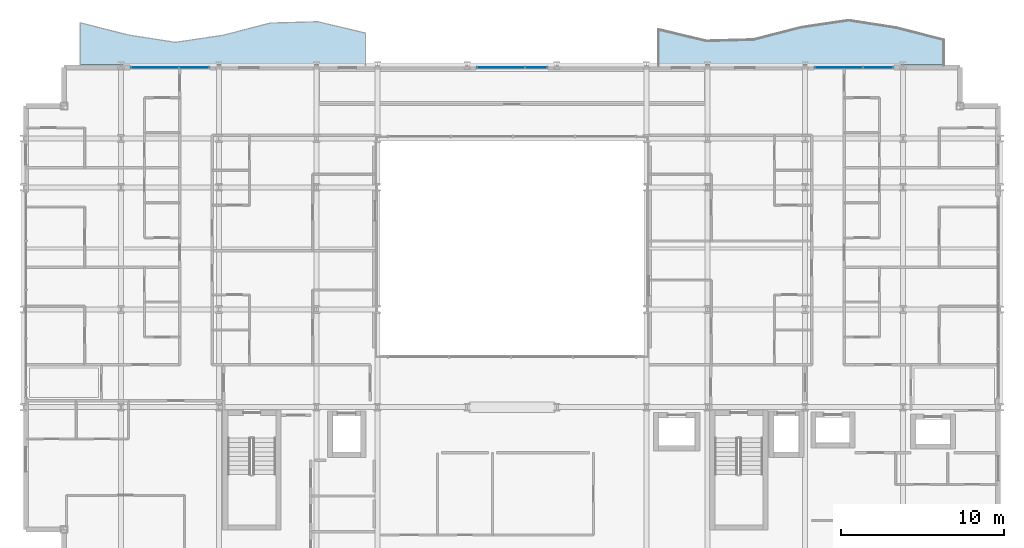
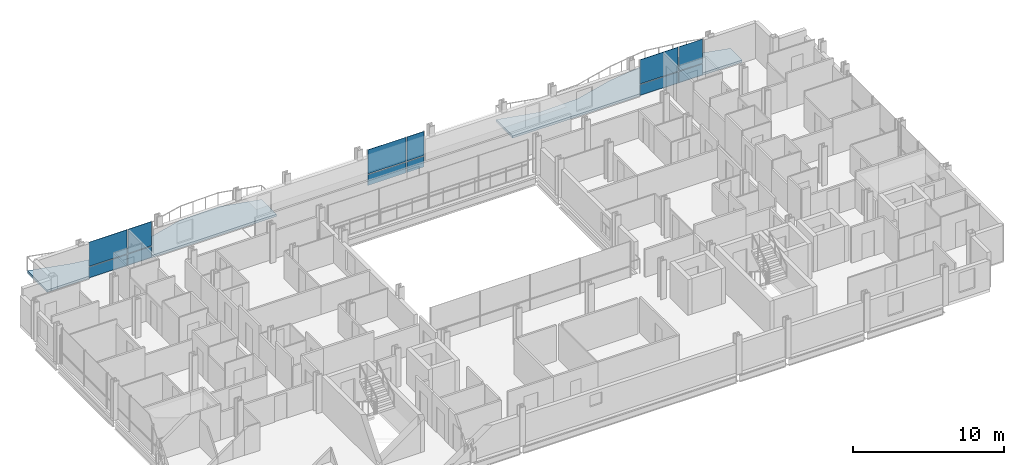
# One storey, part 29 of 40: 12 plates, 2 slabs, 3 elements without a shape of their own.
"""IFC4 building model written with IfcOpenShell, lengths in metres."""

from ifc_helpers import new_model, si_unit, direction, frame, origin, origin_2d, place, context, subcontext, project, spatial, polyline, rectangle, outline, extrude, material, layer, layer_set, type_object, element, aggregate, save


model = new_model("IFC4")

# Units and contexts
model_context = context("Model", 3, precision=1e-05, world=origin(), true_north=direction((0.0, 1.0)))
body_context = subcontext(model_context, "Body", "Model", "MODEL_VIEW")
ifc_project = project(units=[si_unit("LENGTHUNIT", "METRE"), si_unit("AREAUNIT", "SQUARE_METRE"), si_unit("VOLUMEUNIT", "CUBIC_METRE"), si_unit("PLANEANGLEUNIT", "RADIAN"), si_unit("MASSUNIT", "GRAM", prefix="KILO")], contexts=[model_context])

# Site, building, storey
site_placement = place(None, origin())
site = spatial("IfcSite", under=ifc_project, at=site_placement, CompositionType="ELEMENT")
building_placement = place(site_placement, origin())
building = spatial("IfcBuilding", under=site, at=building_placement, Name="Brevholm Reach", CompositionType="ELEMENT")
storey_placement = place(building_placement, frame((0.0, 0.0, 31.10009765625)))
storey = spatial("IfcBuildingStorey", under=building, at=storey_placement, Name="L07", CompositionType="ELEMENT", Elevation=31.10009765625)

# Curtain wall, plates
ifc_material_1 = material(Name="Dark Anodised Aluminium 6063-T6 and Solar-Control Glass", Category="aluminium")
ifc_layer_1 = layer(ifc_material_1, 0.14990234375)
ifc_layer_set_1 = layer_set([ifc_layer_1], Name="Dark Anodised Aluminium 6063-T6 and Solar-Control Glass")
curtain_wall_type = type_object("IfcCurtainWallType", Name="CW-01", PredefinedType="NOTDEFINED", material=ifc_layer_set_1)
curtain_wall_1_placement = place(storey_placement, origin())
curtain_wall_1 = element("IfcCurtainWall", 1, at=curtain_wall_1_placement, inside=storey, type_object=curtain_wall_type, Name="L07 Curtain Wall CW-01", PredefinedType="NOTDEFINED")
ifc_material_2 = material(Name="Dark Solar-Control Double-Glazed IGU Glass", Category="glass")
ifc_layer_2 = layer(ifc_material_2, 0.028076171875)
ifc_layer_set_2 = layer_set([ifc_layer_2], Name="Dark Solar-Control Double-Glazed IGU Glass")
plate_type = type_object("IfcPlateType", Name="CWP-GLZ-28", PredefinedType="CURTAIN_PANEL", material=ifc_layer_set_2)
plate_1_placement = place(storey_placement, frame((8.066162109375, 30.85009765625, 0.0), z_axis=(0.0, 0.0, 1.0), x_axis=(1.0, 0.0, 0.0)))
plate_1 = element("IfcPlate", 2, at=plate_1_placement, type_object=plate_type, Name="CP-01 Glazing Panel 1.1", PredefinedType="CURTAIN_PANEL", context=body_context, shape_type="SweptSolid", body=[
    extrude(rectangle(XDim=2.902587890625, YDim=0.028076171875, at=origin_2d()), origin(), (0.0, 0.0, 1.0), 0.867431640625),
])
plate_2_placement = place(storey_placement, frame((8.066162109375, 30.85009765625, 0.932373046875), z_axis=(0.0, 0.0, 1.0), x_axis=(1.0, 0.0, 0.0)))
plate_2 = element("IfcPlate", 3, at=plate_2_placement, type_object=plate_type, Name="CP-01 Glazing Panel 1.2", PredefinedType="CURTAIN_PANEL", context=body_context, shape_type="SweptSolid", body=[
    extrude(rectangle(XDim=2.902587890625, YDim=0.028076171875, at=origin_2d()), origin(), (0.0, 0.0, 1.0), 1.9375),
])
plate_3_placement = place(storey_placement, frame((10.483642578125, 30.85009765625, 0.0), z_axis=(0.0, 0.0, 1.0), x_axis=(1.0, 0.0, 0.0)))
plate_3 = element("IfcPlate", 4, at=plate_3_placement, type_object=plate_type, Name="CP-01 Glazing Panel 2.1", PredefinedType="CURTAIN_PANEL", context=body_context, shape_type="SweptSolid", body=[
    extrude(rectangle(XDim=1.802490234375, YDim=0.028076171875, at=origin_2d()), origin(), (0.0, 0.0, 1.0), 0.867431640625),
])
plate_4_placement = place(storey_placement, frame((10.483642578125, 30.85009765625, 0.932373046875), z_axis=(0.0, 0.0, 1.0), x_axis=(1.0, 0.0, 0.0)))
plate_4 = element("IfcPlate", 5, at=plate_4_placement, type_object=plate_type, Name="CP-01 Glazing Panel 2.2", PredefinedType="CURTAIN_PANEL", context=body_context, shape_type="SweptSolid", body=[
    extrude(rectangle(XDim=1.802490234375, YDim=0.028076171875, at=origin_2d()), origin(), (0.0, 0.0, 1.0), 1.9375),
])
aggregate(curtain_wall_1, [plate_1, plate_2, plate_3, plate_4])

curtain_wall_2_placement = place(storey_placement, origin())
curtain_wall_2 = element("IfcCurtainWall", 6, at=curtain_wall_2_placement, inside=storey, type_object=curtain_wall_type, Name="L07 Curtain Wall CW-01", PredefinedType="NOTDEFINED")
plate_5_placement = place(storey_placement, frame((29.316162109375, 30.85009765625, 0.0), z_axis=(0.0, 0.0, 1.0), x_axis=(1.0, 0.0, 0.0)))
plate_5 = element("IfcPlate", 7, at=plate_5_placement, type_object=plate_type, Name="CP-01 Glazing Panel 1.1", PredefinedType="CURTAIN_PANEL", context=body_context, shape_type="SweptSolid", body=[
    extrude(rectangle(XDim=2.902587890625, YDim=0.028076171875, at=origin_2d()), origin(), (0.0, 0.0, 1.0), 0.867431640625),
])
plate_6_placement = place(storey_placement, frame((29.316162109375, 30.85009765625, 0.932373046875), z_axis=(0.0, 0.0, 1.0), x_axis=(1.0, 0.0, 0.0)))
plate_6 = element("IfcPlate", 8, at=plate_6_placement, type_object=plate_type, Name="CP-01 Glazing Panel 1.2", PredefinedType="CURTAIN_PANEL", context=body_context, shape_type="SweptSolid", body=[
    extrude(rectangle(XDim=2.902587890625, YDim=0.028076171875, at=origin_2d()), origin(), (0.0, 0.0, 1.0), 1.9375),
])
plate_7_placement = place(storey_placement, frame((31.483642578125, 30.85009765625, 0.0), z_axis=(0.0, 0.0, 1.0), x_axis=(1.0, 0.0, 0.0)))
plate_7 = element("IfcPlate", 9, at=plate_7_placement, type_object=plate_type, Name="CP-01 Glazing Panel 2.1", PredefinedType="CURTAIN_PANEL", context=body_context, shape_type="SweptSolid", body=[
    extrude(rectangle(XDim=1.302490234375, YDim=0.028076171875, at=origin_2d()), origin(), (0.0, 0.0, 1.0), 0.867431640625),
])
plate_8_placement = place(storey_placement, frame((31.483642578125, 30.85009765625, 0.932373046875), z_axis=(0.0, 0.0, 1.0), x_axis=(1.0, 0.0, 0.0)))
plate_8 = element("IfcPlate", 10, at=plate_8_placement, type_object=plate_type, Name="CP-01 Glazing Panel 2.2", PredefinedType="CURTAIN_PANEL", context=body_context, shape_type="SweptSolid", body=[
    extrude(rectangle(XDim=1.302490234375, YDim=0.028076171875, at=origin_2d()), origin(), (0.0, 0.0, 1.0), 1.9375),
])
aggregate(curtain_wall_2, [plate_5, plate_6, plate_7, plate_8])

curtain_wall_3_placement = place(storey_placement, origin())
curtain_wall_3 = element("IfcCurtainWall", 11, at=curtain_wall_3_placement, inside=storey, type_object=curtain_wall_type, Name="L07 Curtain Wall CW-01", PredefinedType="NOTDEFINED")
plate_9_placement = place(storey_placement, frame((50.066162109375, 30.85009765625, 0.0), z_axis=(0.0, 0.0, 1.0), x_axis=(1.0, 0.0, 0.0)))
plate_9 = element("IfcPlate", 12, at=plate_9_placement, type_object=plate_type, Name="CP-01 Glazing Panel 1.1", PredefinedType="CURTAIN_PANEL", context=body_context, shape_type="SweptSolid", body=[
    extrude(rectangle(XDim=2.902587890625, YDim=0.028076171875, at=origin_2d()), origin(), (0.0, 0.0, 1.0), 0.867431640625),
])
plate_10_placement = place(storey_placement, frame((50.066162109375, 30.85009765625, 0.932373046875), z_axis=(0.0, 0.0, 1.0), x_axis=(1.0, 0.0, 0.0)))
plate_10 = element("IfcPlate", 13, at=plate_10_placement, type_object=plate_type, Name="CP-01 Glazing Panel 1.2", PredefinedType="CURTAIN_PANEL", context=body_context, shape_type="SweptSolid", body=[
    extrude(rectangle(XDim=2.902587890625, YDim=0.028076171875, at=origin_2d()), origin(), (0.0, 0.0, 1.0), 1.9375),
])
plate_11_placement = place(storey_placement, frame((52.483642578125, 30.85009765625, 0.0), z_axis=(0.0, 0.0, 1.0), x_axis=(1.0, 0.0, 0.0)))
plate_11 = element("IfcPlate", 14, at=plate_11_placement, type_object=plate_type, Name="CP-01 Glazing Panel 2.1", PredefinedType="CURTAIN_PANEL", context=body_context, shape_type="SweptSolid", body=[
    extrude(rectangle(XDim=1.802490234375, YDim=0.028076171875, at=origin_2d()), origin(), (0.0, 0.0, 1.0), 0.867431640625),
])
plate_12_placement = place(storey_placement, frame((52.483642578125, 30.85009765625, 0.932373046875), z_axis=(0.0, 0.0, 1.0), x_axis=(1.0, 0.0, 0.0)))
plate_12 = element("IfcPlate", 15, at=plate_12_placement, type_object=plate_type, Name="CP-01 Glazing Panel 2.2", PredefinedType="CURTAIN_PANEL", context=body_context, shape_type="SweptSolid", body=[
    extrude(rectangle(XDim=1.802490234375, YDim=0.028076171875, at=origin_2d()), origin(), (0.0, 0.0, 1.0), 1.9375),
])
aggregate(curtain_wall_3, [plate_9, plate_10, plate_11, plate_12])

# Slabs
ifc_material_3 = material(Name="Precast Concrete C40/50", Category="concrete")
ifc_layer_3 = layer(ifc_material_3, 0.179931640625)
ifc_layer_set_3 = layer_set([ifc_layer_3], Name="Precast Concrete C40/50")
slab_type = type_object("IfcSlabType", Name="SLB-BAL-180", PredefinedType="FLOOR", material=ifc_layer_set_3)
slab_1_placement = place(storey_placement, frame((0.0, 0.0, -0.18017578125)))
element("IfcSlab", 16, at=slab_1_placement, inside=storey, type_object=slab_type, Name="L07 Rippling External Balcony NE", PredefinedType="FLOOR", context=body_context, shape_type="SweptSolid", body=[
    extrude(outline(polyline([(39.0, 31.0), (56.5, 31.0), (56.5, 32.55029296875), (53.583251953125, 33.294921875), (50.666748046875, 33.75), (47.75, 33.31689453125), (44.833251953125, 32.565673828125), (41.916748046875, 32.484619140625), (39.0, 33.1806640625), (39.0, 31.0)])), origin(), (0.0, 0.0, 1.0), 0.18017578125),
])
slab_2_placement = place(storey_placement, frame((0.0, 0.0, -0.18017578125)))
element("IfcSlab", 17, at=slab_2_placement, inside=storey, type_object=slab_type, Name="L07 Rippling External Balcony NW", PredefinedType="FLOOR", context=body_context, shape_type="SweptSolid", body=[
    extrude(outline(polyline([(3.5, 31.0), (21.0, 31.0), (21.0, 32.969482421875), (18.083251953125, 33.665283203125), (15.166748046875, 33.58447265625), (12.25, 32.8330078125), (9.333251953125, 32.400146484375), (6.416748046875, 32.855224609375), (3.5, 33.599609375), (3.5, 31.0)])), origin(), (0.0, 0.0, 1.0), 0.18017578125),
])

save(model, "model.ifc")
